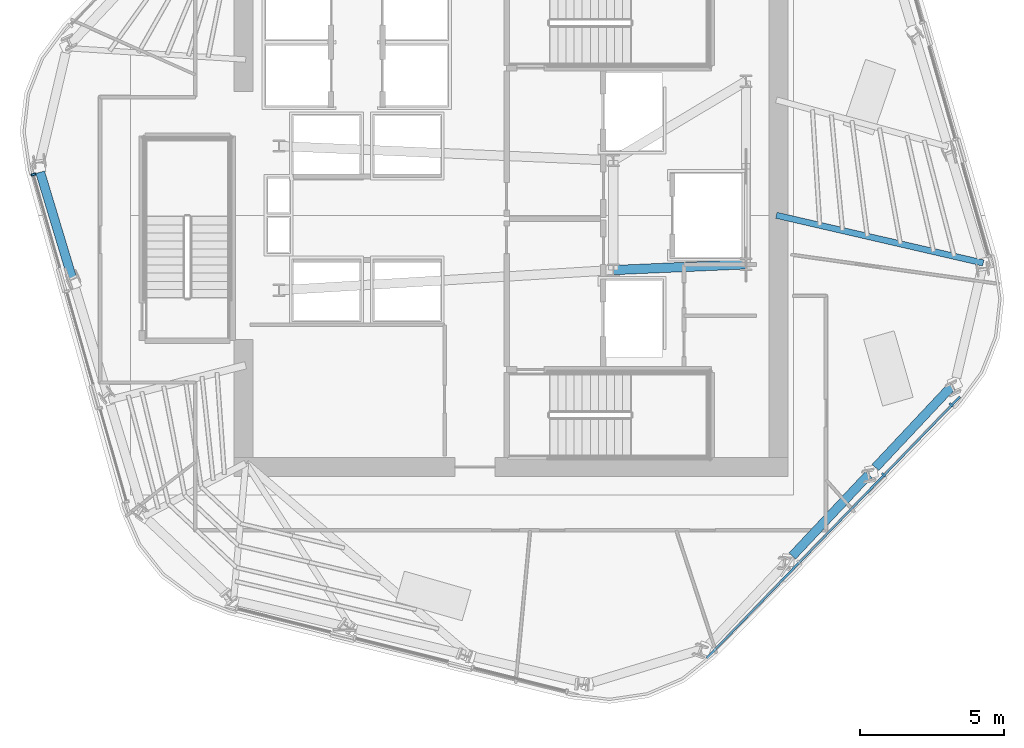
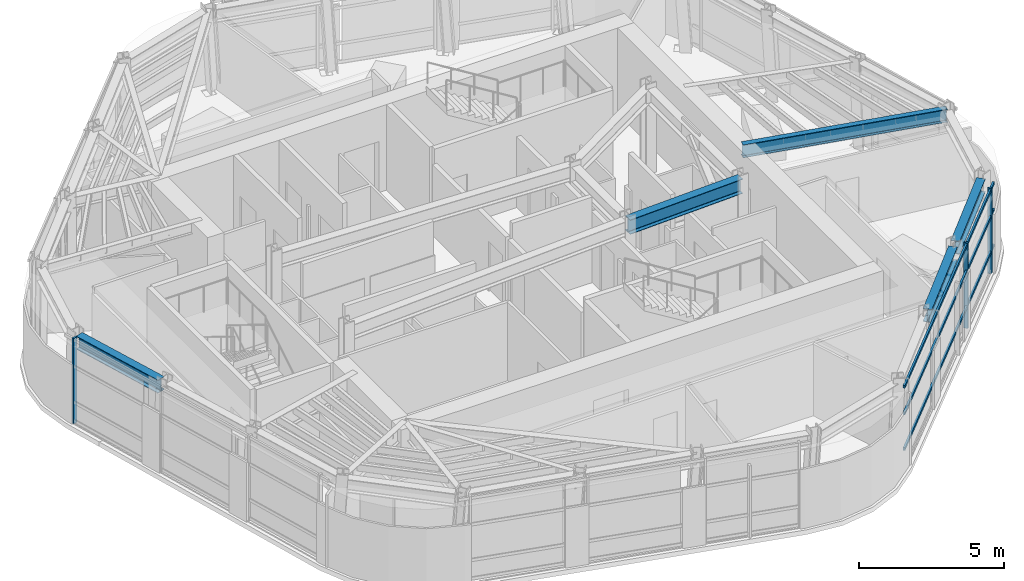
# One storey, part 3 of 13: 6 members, 5 beams, 2 elements without a shape of their own.
"""IFC4 building model written with IfcOpenShell, lengths in metres."""

from ifc_helpers import new_model, si_unit, direction, frame, origin, origin_2d, place, context, subcontext, project, spatial, rectangle, i_section, extrude, material, layer, layer_set, material_profile, profile_set, type_object, element, aggregate, save


model = new_model("IFC4")

# Units and contexts
model_context = context("Model", 3, precision=1e-05, world=origin(), true_north=direction((0.0, 1.0)))
body_context = subcontext(model_context, "Body", "Model", "MODEL_VIEW")
ifc_project = project(units=[si_unit("LENGTHUNIT", "METRE"), si_unit("AREAUNIT", "SQUARE_METRE"), si_unit("VOLUMEUNIT", "CUBIC_METRE"), si_unit("PLANEANGLEUNIT", "RADIAN"), si_unit("MASSUNIT", "GRAM", prefix="KILO")], contexts=[model_context])

# Site, building, storey
site_placement = place(None, origin())
site = spatial("IfcSite", under=ifc_project, at=site_placement, CompositionType="ELEMENT")
building_placement = place(site_placement, origin())
building = spatial("IfcBuilding", under=site, at=building_placement, Name="Valkerne Bourse Tower", CompositionType="ELEMENT")
storey_placement = place(building_placement, frame((0.0, 0.0, 220.800048828125)))
storey = spatial("IfcBuildingStorey", under=building, at=storey_placement, Name="L56", CompositionType="ELEMENT", Elevation=220.800048828125)

# Beams
ifc_material_1 = material(Name="Steel ASTM A992", Category="steel")
ifc_material_profile_1 = material_profile(ifc_material_1, i_section(OverallWidth=0.31494140625, OverallDepth=0.5537109375, WebThickness=0.0166015625, FlangeThickness=0.026123046875, FilletRadius=0.020263671875, at=origin_2d()), Name="W21X132")
ifc_profile_set_1 = profile_set([ifc_material_profile_1], Name="Steel ASTM A992")
beam_type_1 = type_object("IfcBeamType", Name="BM-W21X132", PredefinedType="BEAM", material=ifc_profile_set_1)
for number, where, z_axis, x_axis, name in (
    (1, (30.472900390625, 28.49267578125, 3.3232421875), (0.289030758957, -0.957319810918, 0.0), (0.957319810918, 0.289030758957, 0.0), "L56 Hexagonal Spandrel Ring Beam 08"),
    (2, (56.55419921875, 15.184326171875, 3.3232421875), (0.684498832819, 0.729013955881, 0.0), (-0.729013955881, 0.684498832819, 0.0), "L56 Hexagonal Spandrel Ring Beam 17"),
):
    element("IfcBeam", number, at=place(storey_placement, frame(where, z_axis=z_axis, x_axis=x_axis)), inside=storey, type_object=beam_type_1, Name=name, PredefinedType="BEAM", context=body_context, shape_type="SweptSolid", body=[
        extrude(i_section(OverallWidth=0.31494140625, OverallDepth=0.5537109375, WebThickness=0.0166015625, FlangeThickness=0.026123046875, FilletRadius=0.020263671875, at=origin_2d()), origin(), (0.0, 0.0, 1.0), 3.8720703125),
    ])
beam_1_placement = place(storey_placement, frame((59.4375, 18.2548828125, 3.3232421875), z_axis=(0.684530297446, 0.728984411273, 0.0), x_axis=(-0.728984411273, 0.684530297446, 0.0)))
element("IfcBeam", 3, at=beam_1_placement, inside=storey, type_object=beam_type_1, Name="L56 Hexagonal Spandrel Ring Beam 18", PredefinedType="BEAM", context=body_context, shape_type="SweptSolid", body=[
    extrude(i_section(OverallWidth=0.31494140625, OverallDepth=0.5537109375, WebThickness=0.0166015625, FlangeThickness=0.026123046875, FilletRadius=0.020263671875, at=origin_2d()), origin(), (0.0, 0.0, 1.0), 3.871826171875),
])
ifc_material_profile_2 = material_profile(ifc_material_1, i_section(OverallWidth=0.2138671875, OverallDepth=0.548583984375, WebThickness=0.0146484375, FlangeThickness=0.023681640625, FilletRadius=0.017822265625, at=origin_2d()), Name="W21X93")
ifc_profile_set_2 = profile_set([ifc_material_profile_2], Name="Steel ASTM A992")
beam_type_2 = type_object("IfcBeamType", Name="BM-W21X93", PredefinedType="BEAM", material=ifc_profile_set_2)
beam_2_placement = place(storey_placement, frame((63.17626953125, 25.344482421875, 3.32568359375), z_axis=(-0.974407395632, 0.224789295427, 0.0), x_axis=(-0.224789295427, -0.974407395632, 0.0)))
element("IfcBeam", 4, at=beam_2_placement, inside=storey, type_object=beam_type_2, Name="L56 Radial Composite Floor Beam 20", PredefinedType="BEAM", context=body_context, shape_type="SweptSolid", body=[
    extrude(i_section(OverallWidth=0.2138671875, OverallDepth=0.548583984375, WebThickness=0.0146484375, FlangeThickness=0.023681640625, FilletRadius=0.017822265625, at=origin_2d()), origin(), (0.0, 0.0, 1.0), 7.36474609375),
])
ifc_material_profile_3 = material_profile(ifc_material_1, i_section(OverallWidth=0.3251953125, OverallDepth=0.612060546875, WebThickness=0.0126953125, FlangeThickness=0.01904296875, FilletRadius=0.020263671875, at=origin_2d()), Name="W24X104")
ifc_profile_set_3 = profile_set([ifc_material_profile_3], Name="Steel ASTM A992")
beam_type_3 = type_object("IfcBeamType", Name="BM-W24X104", PredefinedType="BEAM", material=ifc_profile_set_3)
beam_3_placement = place(storey_placement, frame((50.35009765625, 25.10009765625, 3.2939453125), z_axis=(0.999056558506, 0.043428019819, 0.0), x_axis=(-0.043428019819, 0.999056558506, 0.0)))
element("IfcBeam", 5, at=beam_3_placement, inside=storey, type_object=beam_type_3, Name="L56 Core Frame Girder CG-SE", PredefinedType="BEAM", context=body_context, shape_type="SweptSolid", body=[
    extrude(i_section(OverallWidth=0.3251953125, OverallDepth=0.612060546875, WebThickness=0.0126953125, FlangeThickness=0.01904296875, FilletRadius=0.020263671875, at=origin_2d()), origin(), (0.0, 0.0, 1.0), 4.604248046875),
])

# Curtain wall, member
ifc_material_2 = material(Name="Aluminium AA 6063-T6", Category="aluminium")
ifc_layer = layer(ifc_material_2, 0.239990234375)
ifc_layer_set = layer_set([ifc_layer], Name="Aluminium AA 6063-T6")
curtain_wall_type = type_object("IfcCurtainWallType", Name="CW-04", PredefinedType="NOTDEFINED", material=ifc_layer_set)
curtain_wall_1_placement = place(storey_placement, origin())
curtain_wall_1 = element("IfcCurtainWall", 6, at=curtain_wall_1_placement, inside=storey, type_object=curtain_wall_type, Name="L56 Hexagonal Stick Curtain Wall Face 3", PredefinedType="NOTDEFINED")
ifc_material_profile_4 = material_profile(ifc_material_2, rectangle(XDim=0.074951171875, YDim=0.159912109375, at=origin_2d()), Name="CWM-75X160")
ifc_profile_set_4 = profile_set([ifc_material_profile_4], Name="Aluminium AA 6063-T6")
member_type_1 = type_object("IfcMemberType", Name="CW-MUL-160X75", PredefinedType="MULLION", material=ifc_profile_set_4)
member_1_placement = place(storey_placement, frame((30.239990234375, 28.415283203125, 0.0), z_axis=(0.0, 0.0, 1.0), x_axis=(0.273959057484, -0.961741355471, 0.0)))
member_1 = element("IfcMember", 7, at=member_1_placement, type_object=member_type_1, Name="CW-L56-F3 Jamb Mullion 00A", PredefinedType="MULLION", context=body_context, shape_type="SweptSolid", body=[
    extrude(rectangle(XDim=0.074951171875, YDim=0.159912109375, at=origin_2d()), origin(), (0.0, 0.0, 1.0), 3.599853515625),
])
aggregate(curtain_wall_1, [member_1])

# Curtain wall, members
curtain_wall_2_placement = place(storey_placement, origin())
curtain_wall_2 = element("IfcCurtainWall", 8, at=curtain_wall_2_placement, inside=storey, type_object=curtain_wall_type, Name="L56 Hexagonal Stick Curtain Wall Face 5", PredefinedType="NOTDEFINED")
member_2_placement = place(storey_placement, frame((59.716552734375, 18.00048828125, 0.0), z_axis=(0.0, 0.0, 1.0), x_axis=(0.695920361161, 0.718118967108, 0.0)))
member_2 = element("IfcMember", 9, at=member_2_placement, type_object=member_type_1, Name="CW-L56-F5 Jamb Mullion 02A", PredefinedType="MULLION", context=body_context, shape_type="SweptSolid", body=[
    extrude(rectangle(XDim=0.074951171875, YDim=0.159912109375, at=origin_2d()), origin(), (0.0, 0.0, 1.0), 3.599853515625),
])
member_3_placement = place(storey_placement, frame((62.063232421875, 20.421875, 0.0), z_axis=(0.0, 0.0, 1.0), x_axis=(0.695920361161, 0.718118967108, 0.0)))
member_3 = element("IfcMember", 10, at=member_3_placement, type_object=member_type_1, Name="CW-L56-F5 Jamb Mullion 02B", PredefinedType="MULLION", context=body_context, shape_type="SweptSolid", body=[
    extrude(rectangle(XDim=0.074951171875, YDim=0.159912109375, at=origin_2d()), origin(), (0.0, 0.0, 1.0), 3.599853515625),
])
ifc_material_profile_5 = material_profile(ifc_material_2, rectangle(XDim=0.074951171875, YDim=0.1201171875, at=origin_2d()), Name="CWT-75X120")
ifc_profile_set_5 = profile_set([ifc_material_profile_5], Name="Aluminium AA 6063-T6")
member_type_2 = type_object("IfcMemberType", Name="CW-TRN-120X75", PredefinedType="USERDEFINED", material=ifc_profile_set_5)
member_4_placement = place(storey_placement, frame((53.576416015625, 11.635498046875, 0.89990234375), z_axis=(0.695909829674, 0.718129172895, 0.0), x_axis=(-0.718129172895, 0.695909829674, 0.0)))
member_4 = element("IfcMember", 11, at=member_4_placement, type_object=member_type_2, Name="CW-L56-F5 Continuous Face Transom 2", ObjectType="TRANSOM", PredefinedType="USERDEFINED", context=body_context, shape_type="SweptSolid", body=[
    extrude(rectangle(XDim=0.074951171875, YDim=0.1201171875, at=origin_2d()), origin(), (0.0, 0.0, 1.0), 12.635986328125),
])
member_5_placement = place(storey_placement, frame((53.576416015625, 11.635498046875, 2.39990234375), z_axis=(0.695909829674, 0.718129172895, 0.0), x_axis=(-0.718129172895, 0.695909829674, 0.0)))
member_5 = element("IfcMember", 12, at=member_5_placement, type_object=member_type_2, Name="CW-L56-F5 Continuous Face Transom 3", ObjectType="TRANSOM", PredefinedType="USERDEFINED", context=body_context, shape_type="SweptSolid", body=[
    extrude(rectangle(XDim=0.074951171875, YDim=0.1201171875, at=origin_2d()), origin(), (0.0, 0.0, 1.0), 12.635986328125),
])
member_6_placement = place(storey_placement, frame((53.576416015625, 11.635498046875, 3.52001953125), z_axis=(0.695909829674, 0.718129172895, 0.0), x_axis=(-0.718129172895, 0.695909829674, 0.0)))
member_6 = element("IfcMember", 13, at=member_6_placement, type_object=member_type_2, Name="CW-L56-F5 Continuous Face Transom 4", ObjectType="TRANSOM", PredefinedType="USERDEFINED", context=body_context, shape_type="SweptSolid", body=[
    extrude(rectangle(XDim=0.074951171875, YDim=0.1201171875, at=origin_2d()), origin(), (0.0, 0.0, 1.0), 12.635986328125),
])
aggregate(curtain_wall_2, [member_4, member_5, member_6, member_2, member_3])

save(model, "model.ifc")
